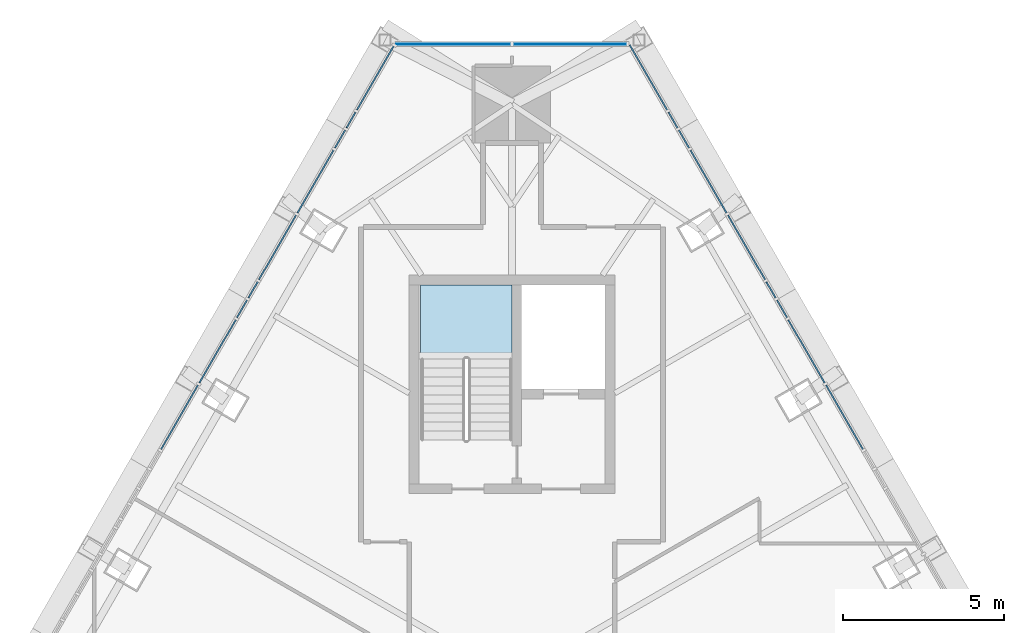
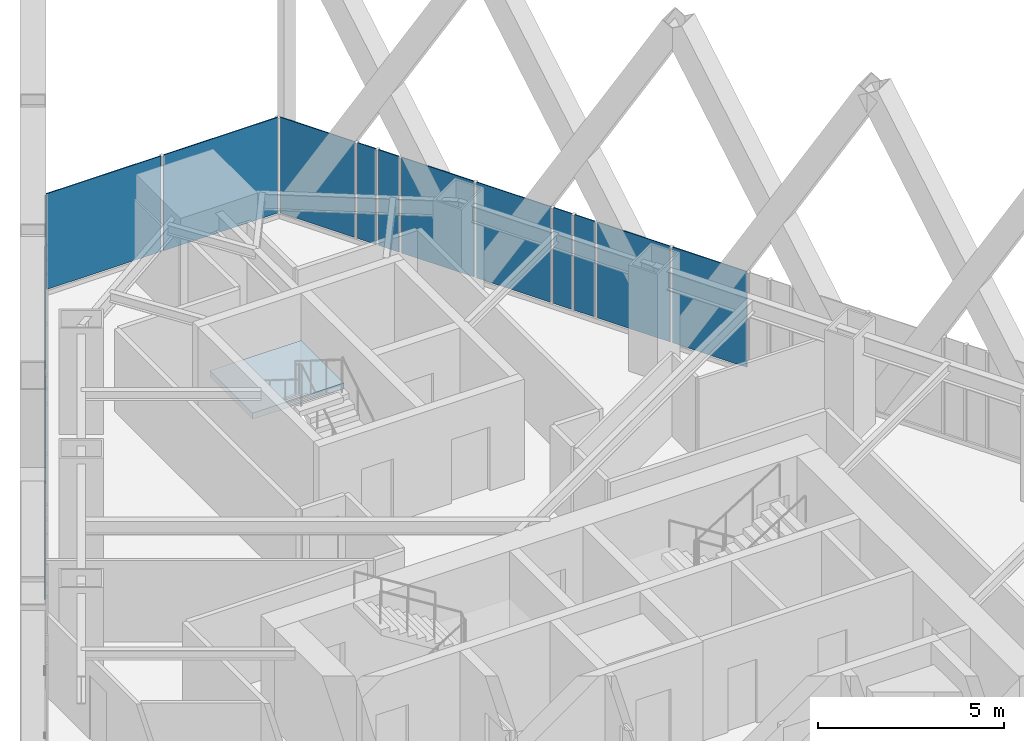
# One storey, part 15 of 23: 20 plates, 1 slab, 4 elements without a shape of their own.
"""IFC4 building model written with IfcOpenShell, lengths in metres."""

from ifc_helpers import new_model, si_unit, direction, frame, origin, place, context, subcontext, project, spatial, polyline, outline, extrude, material, layer, layer_set, type_object, element, aggregate, save


model = new_model("IFC4")

# Units and contexts
model_context = context("Model", 3, precision=1e-05, world=origin(), true_north=direction((0.0, 1.0)))
body_context = subcontext(model_context, "Body", "Model", "MODEL_VIEW")
ifc_project = project(units=[si_unit("LENGTHUNIT", "METRE"), si_unit("AREAUNIT", "SQUARE_METRE"), si_unit("VOLUMEUNIT", "CUBIC_METRE"), si_unit("PLANEANGLEUNIT", "RADIAN"), si_unit("MASSUNIT", "GRAM", prefix="KILO")], contexts=[model_context])

# Site, building, storey
site_placement = place(None, origin())
site = spatial("IfcSite", under=ifc_project, at=site_placement, CompositionType="ELEMENT")
building_placement = place(site_placement, origin())
building = spatial("IfcBuilding", under=site, at=building_placement, Name="Firuza Gate Tower and Library", CompositionType="ELEMENT")
storey_placement = place(building_placement, frame((0.0, 0.0, 302.10009765625)))
storey = spatial("IfcBuildingStorey", under=building, at=storey_placement, Name="L73", CompositionType="ELEMENT", Elevation=302.10009765625)

# Curtain wall, plates
ifc_material_1 = material(Name="Aluminium 6063-T6", Category="aluminium")
ifc_layer_1 = layer(ifc_material_1, 0.14990234375)
ifc_layer_set_1 = layer_set([ifc_layer_1], Name="Corner curtain wall, chamfers")
curtain_wall_type_1 = type_object("IfcCurtainWallType", Name="Corner curtain wall, chamfers", PredefinedType="NOTDEFINED", material=ifc_layer_set_1)
placement = place(storey_placement, origin())
curtain_wall_1 = element("IfcCurtainWall", 1, at=placement, inside=storey, type_object=curtain_wall_type_1, Name="CW4 L73 N corner", PredefinedType="NOTDEFINED")
ifc_material_2 = material(Name="Fritted glass", Category="glass")
ifc_layer_2 = layer(ifc_material_2, 0.030029296875)
ifc_layer_set_2 = layer_set([ifc_layer_2], Name="Fritted glass unit, corners")
plate_type_1 = type_object("IfcPlateType", Name="Fritted glass unit, corners", PredefinedType="CURTAIN_PANEL", material=ifc_layer_set_2)
plate_1_placement = place(storey_placement, frame((78.603271484375, 101.80517578125, 0.14990234375), z_axis=(0.0, 1.0, 0.0), x_axis=(-1.0, 0.0, 0.0)))
plate_1 = element("IfcPlate", 2, at=plate_1_placement, type_object=plate_type_1, Name="Glass unit", PredefinedType="CURTAIN_PANEL", context=body_context, shape_type="SweptSolid", body=[
    extrude(outline(polyline([(0.0, 0.0), (3.563232421875, 0.0), (3.563232421875, 3.14990234375), (0.0, 3.14990234375), (0.0, 0.0)])), origin(), (0.0, 0.0, -1.0), 0.030029296875),
])
plate_2_placement = place(storey_placement, frame((74.9599609375, 101.80517578125, 0.14990234375), z_axis=(0.0, 1.0, 0.0), x_axis=(-1.0, 0.0, 0.0)))
plate_2 = element("IfcPlate", 3, at=plate_2_placement, type_object=plate_type_1, Name="Glass unit", PredefinedType="CURTAIN_PANEL", context=body_context, shape_type="SweptSolid", body=[
    extrude(outline(polyline([(0.0, 0.0), (3.563232421875, 0.0), (3.563232421875, 3.14990234375), (0.0, 3.14990234375), (0.0, 0.0)])), origin(), (0.0, 0.0, -1.0), 0.030029296875),
])
aggregate(curtain_wall_1, [plate_1, plate_2])

ifc_material_3 = material(Name="Aluminium 6063-T6", Category="aluminium")
ifc_layer_3 = layer(ifc_material_3, 0.14990234375)
ifc_layer_set_3 = layer_set([ifc_layer_3], Name="Unitised curtain wall, residences")
curtain_wall_type_2 = type_object("IfcCurtainWallType", Name="Unitised curtain wall, residences", PredefinedType="NOTDEFINED", material=ifc_layer_set_3)
curtain_wall_2 = element("IfcCurtainWall", 4, at=placement, inside=storey, type_object=curtain_wall_type_2, Name="CW3 L73 E face", PredefinedType="NOTDEFINED")
ifc_material_4 = material(Name="Fritted glass", Category="glass")
ifc_layer_4 = layer(ifc_material_4, 0.030029296875)
ifc_layer_set_4 = layer_set([ifc_layer_4], Name="Fritted glass unit, residences")
plate_type_2 = type_object("IfcPlateType", Name="Fritted glass unit, residences", PredefinedType="CURTAIN_PANEL", material=ifc_layer_set_4)
plate_3_placement = place(storey_placement, frame((83.571044921875, 93.284912109375, 0.14990234375), z_axis=(0.866127254354, 0.49982354813, 0.0), x_axis=(-0.49982354813, 0.866127254354, 0.0)))
plate_3 = element("IfcPlate", 5, at=plate_3_placement, type_object=plate_type_2, Name="Glass unit", PredefinedType="CURTAIN_PANEL", context=body_context, shape_type="SweptSolid", body=[
    extrude(outline(polyline([(0.0, 0.0), (0.6271744572110576, 0.0), (0.6271744572110576, 3.14990234375), (0.0, 3.14990234375), (0.0, 0.0)])), origin(), (0.0, 0.0, -1.0), 0.030029296875),
])
plate_4_placement = place(storey_placement, frame((83.217529296875, 93.897216796875, 0.14990234375), z_axis=(0.86602370202, 0.50000294753, 0.0), x_axis=(-0.50000294753, 0.86602370202, 0.0)))
plate_4 = element("IfcPlate", 6, at=plate_4_placement, type_object=plate_type_2, Name="Glass unit", PredefinedType="CURTAIN_PANEL", context=body_context, shape_type="SweptSolid", body=[
    extrude(outline(polyline([(0.0, 0.0), (0.5776333135664108, 0.0), (0.5776333135664108, 3.149902343750001), (0.0, 3.149902343750001), (0.0, 0.0)])), origin(), (0.0, 0.0, -1.0), 0.030029296875),
])
plate_5_placement = place(storey_placement, frame((80.523193359375, 98.564208984375, 0.14990234375), z_axis=(0.865931220513, 0.500163094741, 0.0), x_axis=(-0.500163094741, 0.865931220513, 0.0)))
plate_5 = element("IfcPlate", 7, at=plate_5_placement, type_object=plate_type_2, Name="Glass unit", PredefinedType="CURTAIN_PANEL", context=body_context, shape_type="SweptSolid", body=[
    extrude(outline(polyline([(0.0, 0.0), (0.6394398589438859, 0.0), (0.6394398589438859, 3.14990234375), (0.0, 3.14990234375), (0.0, 0.0)])), origin(), (0.0, 0.0, -1.0), 0.030029296875),
])
plate_6_placement = place(storey_placement, frame((80.163330078125, 99.187255859375, 0.14990234375), z_axis=(0.86613523903, 0.4998097115, 0.0), x_axis=(-0.4998097115, 0.86613523903, 0.0)))
plate_6 = element("IfcPlate", 8, at=plate_6_placement, type_object=plate_type_2, Name="Glass unit", PredefinedType="CURTAIN_PANEL", context=body_context, shape_type="SweptSolid", body=[
    extrude(outline(polyline([(0.0, 0.0), (0.5651564918118888, 0.0), (0.5651564918118888, 3.14990234375), (0.0, 3.14990234375), (0.0, 0.0)])), origin(), (0.0, 0.0, -1.0), 0.030029296875),
])

curtain_wall_3 = element("IfcCurtainWall", 9, at=placement, inside=storey, type_object=curtain_wall_type_2, Name="CW3 L73 W face", PredefinedType="NOTDEFINED")
plate_7_placement = place(storey_placement, frame((70.119140625, 99.6767578125, 0.14990234375), z_axis=(-0.86613523903, 0.4998097115, 0.0), x_axis=(-0.4998097115, -0.86613523903, 0.0)))
plate_7 = element("IfcPlate", 10, at=plate_7_placement, type_object=plate_type_2, Name="Glass unit", PredefinedType="CURTAIN_PANEL", context=body_context, shape_type="SweptSolid", body=[
    extrude(outline(polyline([(0.0, 0.0), (0.5651564918118888, 0.0), (0.5651564918118888, 3.14990234375), (0.0, 3.14990234375), (0.0, 0.0)])), origin(), (0.0, 0.0, -1.0), 0.030029296875),
])
plate_8_placement = place(storey_placement, frame((69.796630859375, 99.117919921875, 0.14990234375), z_axis=(-0.865931220513, 0.500163094741, 0.0), x_axis=(-0.500163094741, -0.865931220513, 0.0)))
plate_8 = element("IfcPlate", 11, at=plate_8_placement, type_object=plate_type_2, Name="Glass unit", PredefinedType="CURTAIN_PANEL", context=body_context, shape_type="SweptSolid", body=[
    extrude(outline(polyline([(0.0, 0.0), (0.6394398589438859, 0.0), (0.6394398589438859, 3.14990234375), (0.0, 3.14990234375), (0.0, 0.0)])), origin(), (0.0, 0.0, -1.0), 0.030029296875),
])
plate_9_placement = place(storey_placement, frame((67.0712890625, 94.3974609375, 0.14990234375), z_axis=(-0.86602370202, 0.50000294753, 0.0), x_axis=(-0.50000294753, -0.86602370202, 0.0)))
plate_9 = element("IfcPlate", 12, at=plate_9_placement, type_object=plate_type_2, Name="Glass unit", PredefinedType="CURTAIN_PANEL", context=body_context, shape_type="SweptSolid", body=[
    extrude(outline(polyline([(0.0, 0.0), (0.5776333135664108, 0.0), (0.5776333135664108, 3.149902343750001), (0.0, 3.149902343750001), (0.0, 0.0)])), origin(), (0.0, 0.0, -1.0), 0.030029296875),
])
plate_10_placement = place(storey_placement, frame((66.742431640625, 93.828125, 0.14990234375), z_axis=(-0.866127254354, 0.49982354813, 0.0), x_axis=(-0.49982354813, -0.866127254354, 0.0)))
plate_10 = element("IfcPlate", 13, at=plate_10_placement, type_object=plate_type_2, Name="Glass unit", PredefinedType="CURTAIN_PANEL", context=body_context, shape_type="SweptSolid", body=[
    extrude(outline(polyline([(0.0, 0.0), (0.6271744572110576, 0.0), (0.6271744572110576, 3.14990234375), (0.0, 3.14990234375), (0.0, 0.0)])), origin(), (0.0, 0.0, -1.0), 0.030029296875),
])

# Plate
ifc_material_5 = material(Name="Glazed ceramic tile")
ifc_layer_5 = layer(ifc_material_5, 0.030029296875)
ifc_layer_set_5 = layer_set([ifc_layer_5], Name="Opaque ceramic panel, residences")
plate_type_3 = type_object("IfcPlateType", Name="Opaque ceramic panel, residences", PredefinedType="CURTAIN_PANEL", material=ifc_layer_set_5)
plate_11_placement = place(storey_placement, frame((85.936767578125, 89.1875, 0.14990234375), z_axis=(0.866037382247, 0.49997925212, 0.0), x_axis=(-0.49997925212, 0.866037382247, 0.0)))
plate_11 = element("IfcPlate", 14, at=plate_11_placement, type_object=plate_type_3, Name="Opaque ceramic panel", PredefinedType="CURTAIN_PANEL", context=body_context, shape_type="SweptSolid", body=[
    extrude(outline(polyline([(0.0, 0.0), (2.304294837217437, 0.0), (2.304294837217437, 3.14990234375), (0.0, 3.14990234375), (0.0, 0.0)])), origin(), (0.0, 0.0, -1.0), 0.030029296875),
])

plate_12_placement = place(storey_placement, frame((84.74462890625, 91.252197265625, 0.14990234375), z_axis=(0.866027775618, 0.499995891842, 0.0), x_axis=(-0.499995891842, 0.866027775618, 0.0)))
plate_12 = element("IfcPlate", 15, at=plate_12_placement, type_object=plate_type_3, Name="Opaque ceramic panel", PredefinedType="CURTAIN_PANEL", context=body_context, shape_type="SweptSolid", body=[
    extrude(outline(polyline([(0.0, 0.0), (2.2671084710300136, 0.0), (2.2671084710300136, 3.14990234375), (0.0, 3.14990234375), (0.0, 0.0)])), origin(), (0.0, 0.0, -1.0), 0.030029296875),
])

plate_13_placement = place(storey_placement, frame((82.888671875, 94.466796875, 0.14990234375), z_axis=(0.866029381593, 0.499993110171, 0.0), x_axis=(-0.499993110171, 0.866029381593, 0.0)))
plate_13 = element("IfcPlate", 16, at=plate_13_placement, type_object=plate_type_3, Name="Opaque ceramic panel", PredefinedType="CURTAIN_PANEL", context=body_context, shape_type="SweptSolid", body=[
    extrude(outline(polyline([(0.0, 0.0), (2.3164381697258296, 0.0), (2.3164381697258296, 3.14990234375), (0.0, 3.14990234375), (0.0, 0.0)])), origin(), (0.0, 0.0, -1.0), 0.030029296875),
])

plate_14_placement = place(storey_placement, frame((81.6904296875, 96.542236328125, 0.14990234375), z_axis=(0.8660557602, 0.49994741746, 0.0), x_axis=(-0.49994741746, 0.8660557602, 0.0)))
plate_14 = element("IfcPlate", 17, at=plate_14_placement, type_object=plate_type_3, Name="Opaque ceramic panel", PredefinedType="CURTAIN_PANEL", context=body_context, shape_type="SweptSolid", body=[
    extrude(outline(polyline([(0.0, 0.0), (2.2546316397680672, 0.0), (2.2546316397680672, 3.1499023437499996), (0.0, 3.1499023437499996), (0.0, 0.0)])), origin(), (0.0, 0.0, -1.0), 0.030029296875),
])

plate_15_placement = place(storey_placement, frame((79.8408203125, 99.74609375, 0.14990234375), z_axis=(0.866002278571, 0.500040051905, 0.0), x_axis=(-0.500040051905, 0.866002278571, 0.0)))
plate_15 = element("IfcPlate", 18, at=plate_15_placement, type_object=plate_type_3, Name="Opaque ceramic panel", PredefinedType="CURTAIN_PANEL", context=body_context, shape_type="SweptSolid", body=[
    extrude(outline(polyline([(0.0, 0.0), (2.328915007535432, 0.0), (2.328915007535432, 3.14990234375), (0.0, 3.14990234375), (0.0, 0.0)])), origin(), (0.0, 0.0, -1.0), 0.030029296875),
])

aggregate(curtain_wall_2, [plate_11, plate_12, plate_3, plate_4, plate_13, plate_14, plate_5, plate_6, plate_15])

plate_16_placement = place(storey_placement, frame((71.32373046875, 101.762939453125, 0.14990234375), z_axis=(-0.866002278571, 0.500040051905, 0.0), x_axis=(-0.500040051905, -0.866002278571, 0.0)))
plate_16 = element("IfcPlate", 19, at=plate_16_placement, type_object=plate_type_3, Name="Opaque ceramic panel", PredefinedType="CURTAIN_PANEL", context=body_context, shape_type="SweptSolid", body=[
    extrude(outline(polyline([(0.0, 0.0), (2.328915007535432, 0.0), (2.328915007535432, 3.14990234375), (0.0, 3.14990234375), (0.0, 0.0)])), origin(), (0.0, 0.0, -1.0), 0.030029296875),
])

plate_17_placement = place(storey_placement, frame((69.436767578125, 98.494873046875, 0.14990234375), z_axis=(-0.8660557602, 0.49994741746, 0.0), x_axis=(-0.49994741746, -0.8660557602, 0.0)))
plate_17 = element("IfcPlate", 20, at=plate_17_placement, type_object=plate_type_3, Name="Opaque ceramic panel", PredefinedType="CURTAIN_PANEL", context=body_context, shape_type="SweptSolid", body=[
    extrude(outline(polyline([(0.0, 0.0), (2.2546316397680672, 0.0), (2.2546316397680672, 3.1499023437499996), (0.0, 3.1499023437499996), (0.0, 0.0)])), origin(), (0.0, 0.0, -1.0), 0.030029296875),
])

plate_18_placement = place(storey_placement, frame((68.26953125, 96.472900390625, 0.14990234375), z_axis=(-0.866029381593, 0.499993110171, 0.0), x_axis=(-0.499993110171, -0.866029381593, 0.0)))
plate_18 = element("IfcPlate", 21, at=plate_18_placement, type_object=plate_type_3, Name="Opaque ceramic panel", PredefinedType="CURTAIN_PANEL", context=body_context, shape_type="SweptSolid", body=[
    extrude(outline(polyline([(0.0, 0.0), (2.3164381697258296, 0.0), (2.3164381697258296, 3.14990234375), (0.0, 3.14990234375), (0.0, 0.0)])), origin(), (0.0, 0.0, -1.0), 0.030029296875),
])

plate_19_placement = place(storey_placement, frame((66.388916015625, 93.215576171875, 0.14990234375), z_axis=(-0.866027775618, 0.499995891842, 0.0), x_axis=(-0.499995891842, -0.866027775618, 0.0)))
plate_19 = element("IfcPlate", 22, at=plate_19_placement, type_object=plate_type_3, Name="Opaque ceramic panel", PredefinedType="CURTAIN_PANEL", context=body_context, shape_type="SweptSolid", body=[
    extrude(outline(polyline([(0.0, 0.0), (2.2671084710300136, 0.0), (2.2671084710300136, 3.14990234375), (0.0, 3.14990234375), (0.0, 0.0)])), origin(), (0.0, 0.0, -1.0), 0.030029296875),
])

plate_20_placement = place(storey_placement, frame((65.21533203125, 91.18310546875, 0.14990234375), z_axis=(-0.866037382247, 0.49997925212, 0.0), x_axis=(-0.49997925212, -0.866037382247, 0.0)))
plate_20 = element("IfcPlate", 23, at=plate_20_placement, type_object=plate_type_3, Name="Opaque ceramic panel", PredefinedType="CURTAIN_PANEL", context=body_context, shape_type="SweptSolid", body=[
    extrude(outline(polyline([(0.0, 0.0), (2.304294837217437, 0.0), (2.304294837217437, 3.14990234375), (0.0, 3.14990234375), (0.0, 0.0)])), origin(), (0.0, 0.0, -1.0), 0.030029296875),
])

aggregate(curtain_wall_3, [plate_16, plate_7, plate_8, plate_17, plate_18, plate_9, plate_10, plate_19, plate_20])

# Stair, slab
ifc_material_6 = material(Name="Concrete C35/45", Category="concrete")
stair_type = type_object("IfcStairType", Name="Exit stair ST17", PredefinedType="HALF_TURN_STAIR", material=ifc_material_6)
stair = element("IfcStair", 24, at=placement, inside=storey, type_object=stair_type, Name="L73 Stair ST3", PredefinedType="HALF_TURN_STAIR")
ifc_material_7 = material(Name="Concrete C35/45", Category="concrete")
ifc_layer_6 = layer(ifc_material_7, 0.199951171875)
ifc_layer_set_6 = layer_set([ifc_layer_6], Name="Stair landing 200")
slab_type = type_object("IfcSlabType", Name="Stair landing 200", PredefinedType="LANDING", material=ifc_layer_set_6)
slab_placement = place(storey_placement, frame((0.0, 0.0, 1.5498046875)))
slab = element("IfcSlab", 25, at=slab_placement, type_object=slab_type, Name="ST3 landing 1", PredefinedType="LANDING", context=body_context, shape_type="SweptSolid", body=[
    extrude(outline(polyline([(75.0, 91.989990234375), (75.0, 94.300048828125), (72.159912109375, 94.300048828125), (72.159912109375, 91.989990234375), (75.0, 91.989990234375)])), origin(), (0.0, 0.0, 1.0), 0.2001953125),
])
aggregate(stair, [slab])

save(model, "model.ifc")
